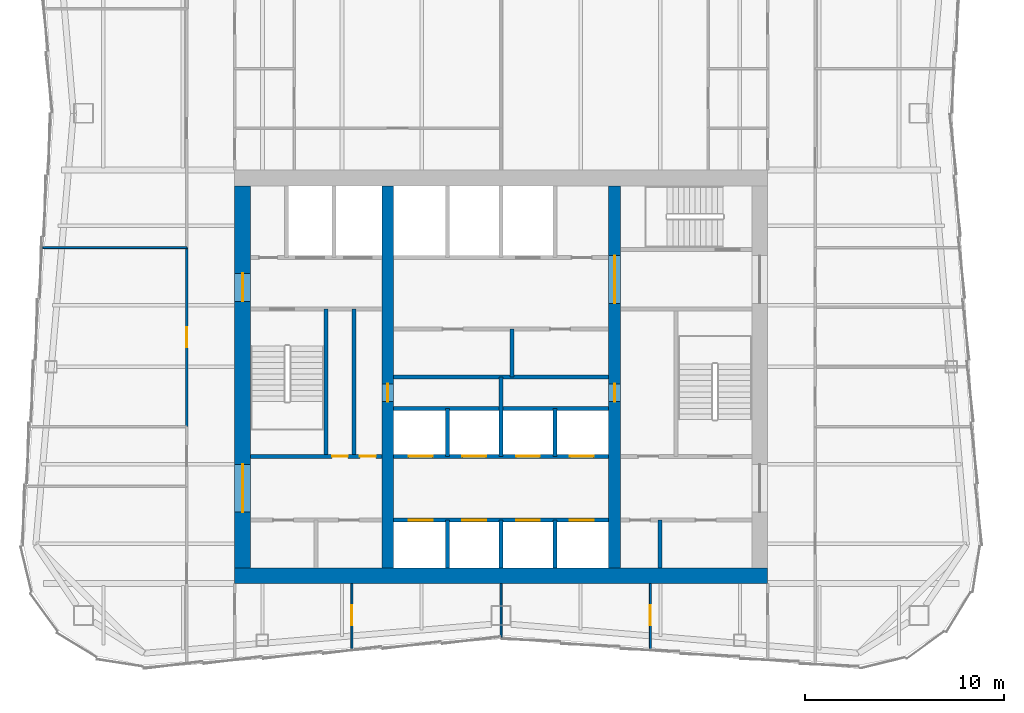
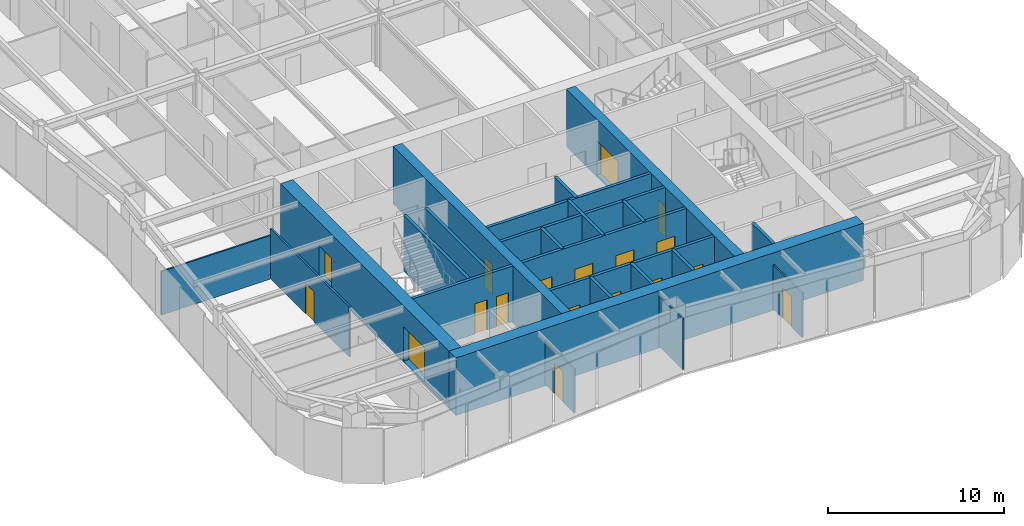
# One storey, part 6 of 12: 24 walls, 18 doors, 18 openings.
"""IFC4 building model written with IfcOpenShell, lengths in metres."""

from ifc_helpers import new_model, si_unit, direction, frame, frame_2d, origin, place, context, subcontext, project, spatial, rectangle, extrude, material, layer, layer_set, type_object, element, fill, save


model = new_model("IFC4")

# Units and contexts
model_context = context("Model", 3, precision=1e-05, world=origin(), true_north=direction((0.0, 1.0)))
body_context = subcontext(model_context, "Body", "Model", "MODEL_VIEW")
ifc_project = project(units=[si_unit("LENGTHUNIT", "METRE"), si_unit("AREAUNIT", "SQUARE_METRE"), si_unit("VOLUMEUNIT", "CUBIC_METRE"), si_unit("PLANEANGLEUNIT", "RADIAN"), si_unit("MASSUNIT", "GRAM", prefix="KILO")], contexts=[model_context])

# Site, building, storey
site_placement = place(None, origin())
site = spatial("IfcSite", under=ifc_project, at=site_placement, CompositionType="ELEMENT")
building_placement = place(site_placement, origin())
building = spatial("IfcBuilding", under=site, at=building_placement, Name="Verdant Reach Tower", CompositionType="ELEMENT")
storey_placement = place(building_placement, frame((0.0, 0.0, 242.0)))
storey = spatial("IfcBuildingStorey", under=building, at=storey_placement, Name="L55", CompositionType="ELEMENT", Elevation=242.0)

# Walls
ifc_material_1 = material(Name="Gypsum board on steel studs", Category="steel")
ifc_layer_1 = layer(ifc_material_1, 0.199951171875)
ifc_layer_set_1 = layer_set([ifc_layer_1], Name="CO-WALL-ROOM")
wall_type_1 = type_object("IfcWallType", Name="CO-WALL-ROOM", PredefinedType="PARTITIONING", material=ifc_layer_set_1)
wall_1_placement = place(storey_placement, frame((-5.39990234375, 28.0, 0.0), z_axis=(0.0, 0.0, 1.0), x_axis=(1.0, 0.0, 0.0)))
element("IfcWall", 1, at=wall_1_placement, inside=storey, type_object=wall_type_1, Name="Core partition, L55", PredefinedType="PARTITIONING", context=body_context, shape_type="SweptSolid", body=[
    extrude(rectangle(XDim=10.7998046875, YDim=0.199951171875, at=frame_2d((5.39990234375, 0.0))), origin(), (0.0, 0.0, 1.0), 3.8701171875),
])
wall_2_placement = place(storey_placement, frame((-7.39990234375, 24.0, 0.0), z_axis=(0.0, 0.0, 1.0), x_axis=(0.0, 1.0, 0.0)))
element("IfcWall", 2, at=wall_2_placement, inside=storey, type_object=wall_type_1, Name="Core partition, L55", PredefinedType="PARTITIONING", context=body_context, shape_type="SweptSolid", body=[
    extrude(rectangle(XDim=7.39990234375, YDim=0.199951171875, at=frame_2d((3.699951171875, 0.0))), origin(), (0.0, 0.0, 1.0), 3.8701171875),
])
wall_3_placement = place(storey_placement, frame((0.5400390625, 28.0, 0.0), z_axis=(0.0, 0.0, 1.0), x_axis=(0.0, 1.0, 0.0)))
element("IfcWall", 3, at=wall_3_placement, inside=storey, type_object=wall_type_1, Name="Core partition, L55", PredefinedType="PARTITIONING", context=body_context, shape_type="SweptSolid", body=[
    extrude(rectangle(XDim=2.39990234375, YDim=0.199951171875, at=frame_2d((1.199951171875, 0.0))), origin(), (0.0, 0.0, 1.0), 3.8701171875),
])
wall_4_placement = place(storey_placement, frame((7.97998046875, 18.39990234375, 0.0), z_axis=(0.0, 0.0, 1.0), x_axis=(0.0, 1.0, 0.0)))
element("IfcWall", 4, at=wall_4_placement, inside=storey, type_object=wall_type_1, Name="Core partition, L55", PredefinedType="PARTITIONING", context=body_context, shape_type="SweptSolid", body=[
    extrude(rectangle(XDim=2.400146484375, YDim=0.199951171875, at=frame_2d((1.2001953125, 0.0))), origin(), (0.0, 0.0, 1.0), 3.8701171875),
])

# Wall, openings, doors
ifc_material_2 = material(Name="Concrete C40/50", Category="concrete")
ifc_layer_2 = layer(ifc_material_2, 0.199951171875)
ifc_layer_set_2 = layer_set([ifc_layer_2], Name="CO-WALL-SHAFT")
wall_type_2 = type_object("IfcWallType", Name="CO-WALL-SHAFT", PredefinedType="PARTITIONING", material=ifc_layer_set_2)
wall_5_placement = place(storey_placement, frame((-5.39990234375, 20.800048828125, 0.0), z_axis=(0.0, 0.0, 1.0), x_axis=(1.0, 0.0, 0.0)))
wall_5 = element("IfcWall", 5, at=wall_5_placement, inside=storey, type_object=wall_type_2, Name="Lift shaft wall, L55", PredefinedType="PARTITIONING", context=body_context, shape_type="SweptSolid", body=[
    extrude(rectangle(XDim=10.7998046875, YDim=0.199951171875, at=frame_2d((5.39990234375, 0.0))), origin(), (0.0, 0.0, 1.0), 3.8701171875),
])
opening_1_placement = place(wall_5_placement, frame((0.75, 0.0, 0.0)))
opening_1 = element("IfcOpeningElement", 6, at=opening_1_placement, cuts=wall_5, Name="Opening LD-B1", PredefinedType="OPENING", context=body_context, shape_type="SweptSolid", body=[
    extrude(rectangle(XDim=1.199951171875, YDim=2.199951171875, at=frame_2d((0.60009765625, 1.10009765625))), frame((0.0, 0.10986328125, 0.0), z_axis=(0.0, -1.0, 0.0), x_axis=(1.0, 0.0, 0.0)), (0.0, 0.0, 1.0), 0.219970703125),
])
opening_2_placement = place(wall_5_placement, frame((3.449951171875, 0.0, 0.0)))
opening_2 = element("IfcOpeningElement", 7, at=opening_2_placement, cuts=wall_5, Name="Opening LD-B2", PredefinedType="OPENING", context=body_context, shape_type="SweptSolid", body=[
    extrude(rectangle(XDim=1.199951171875, YDim=2.199951171875, at=frame_2d((0.60009765625, 1.10009765625))), frame((0.0, 0.10986328125, 0.0), z_axis=(0.0, -1.0, 0.0), x_axis=(1.0, 0.0, 0.0)), (0.0, 0.0, 1.0), 0.219970703125),
])
opening_3_placement = place(wall_5_placement, frame((6.14990234375, 0.0, 0.0)))
opening_3 = element("IfcOpeningElement", 8, at=opening_3_placement, cuts=wall_5, Name="Opening LD-B3", PredefinedType="OPENING", context=body_context, shape_type="SweptSolid", body=[
    extrude(rectangle(XDim=1.199951171875, YDim=2.199951171875, at=frame_2d((0.60009765625, 1.10009765625))), frame((0.0, 0.10986328125, 0.0), z_axis=(0.0, -1.0, 0.0), x_axis=(1.0, 0.0, 0.0)), (0.0, 0.0, 1.0), 0.219970703125),
])
opening_4_placement = place(wall_5_placement, frame((8.85009765625, 0.0, 0.0)))
opening_4 = element("IfcOpeningElement", 9, at=opening_4_placement, cuts=wall_5, Name="Opening LD-B4", PredefinedType="OPENING", context=body_context, shape_type="SweptSolid", body=[
    extrude(rectangle(XDim=1.199951171875, YDim=2.199951171875, at=frame_2d((0.60009765625, 1.10009765625))), frame((0.0, 0.10986328125, 0.0), z_axis=(0.0, -1.0, 0.0), x_axis=(1.0, 0.0, 0.0)), (0.0, 0.0, 1.0), 0.219970703125),
])
ifc_material_3 = material(Name="Stainless steel", Category="steel")
door_type_1 = type_object("IfcDoorType", Name="CO-DOOR-LANDING", OperationType="SLIDING_TO_LEFT", PredefinedType="DOOR", material=ifc_material_3)
door_1_placement = place(opening_1_placement, origin())
door_1 = element("IfcDoor", 10, at=door_1_placement, inside=storey, type_object=door_type_1, Name="Landing door B1, L55", OperationType="SLIDING_TO_LEFT", OverallHeight=2.199951171875, OverallWidth=1.199951171875, PredefinedType="DOOR", context=body_context, shape_type="SweptSolid", body=[
    extrude(rectangle(XDim=1.199951171875, YDim=2.199951171875, at=frame_2d((0.60009765625, 1.10009765625))), frame((0.0, 0.02490234375, 0.0), z_axis=(0.0, -1.0, 0.0), x_axis=(1.0, 0.0, 0.0)), (0.0, 0.0, 1.0), 0.050048828125),
])
fill(opening_1, door_1)
door_2_placement = place(opening_2_placement, origin())
door_2 = element("IfcDoor", 11, at=door_2_placement, inside=storey, type_object=door_type_1, Name="Landing door B2, L55", OperationType="SLIDING_TO_LEFT", OverallHeight=2.199951171875, OverallWidth=1.199951171875, PredefinedType="DOOR", context=body_context, shape_type="SweptSolid", body=[
    extrude(rectangle(XDim=1.199951171875, YDim=2.199951171875, at=frame_2d((0.60009765625, 1.10009765625))), frame((0.0, 0.02490234375, 0.0), z_axis=(0.0, -1.0, 0.0), x_axis=(1.0, 0.0, 0.0)), (0.0, 0.0, 1.0), 0.050048828125),
])
fill(opening_2, door_2)
door_3_placement = place(opening_3_placement, origin())
door_3 = element("IfcDoor", 12, at=door_3_placement, inside=storey, type_object=door_type_1, Name="Landing door B3, L55", OperationType="SLIDING_TO_LEFT", OverallHeight=2.199951171875, OverallWidth=1.199951171875, PredefinedType="DOOR", context=body_context, shape_type="SweptSolid", body=[
    extrude(rectangle(XDim=1.199951171875, YDim=2.199951171875, at=frame_2d((0.60009765625, 1.10009765625))), frame((0.0, 0.02490234375, 0.0), z_axis=(0.0, -1.0, 0.0), x_axis=(1.0, 0.0, 0.0)), (0.0, 0.0, 1.0), 0.050048828125),
])
fill(opening_3, door_3)
door_4_placement = place(opening_4_placement, origin())
door_4 = element("IfcDoor", 13, at=door_4_placement, inside=storey, type_object=door_type_1, Name="Landing door B4, L55", OperationType="SLIDING_TO_LEFT", OverallHeight=2.199951171875, OverallWidth=1.199951171875, PredefinedType="DOOR", context=body_context, shape_type="SweptSolid", body=[
    extrude(rectangle(XDim=1.199951171875, YDim=2.199951171875, at=frame_2d((0.60009765625, 1.10009765625))), frame((0.0, 0.02490234375, 0.0), z_axis=(0.0, -1.0, 0.0), x_axis=(1.0, 0.0, 0.0)), (0.0, 0.0, 1.0), 0.050048828125),
])
fill(opening_4, door_4)

wall_6_placement = place(storey_placement, frame((-5.39990234375, 24.0, 0.0), z_axis=(0.0, 0.0, 1.0), x_axis=(1.0, 0.0, 0.0)))
wall_6 = element("IfcWall", 14, at=wall_6_placement, inside=storey, type_object=wall_type_2, Name="Lift shaft wall, L55", PredefinedType="PARTITIONING", context=body_context, shape_type="SweptSolid", body=[
    extrude(rectangle(XDim=10.7998046875, YDim=0.199951171875, at=frame_2d((5.39990234375, 0.0))), origin(), (0.0, 0.0, 1.0), 3.8701171875),
])
opening_5_placement = place(wall_6_placement, frame((0.75, 0.0, 0.0)))
opening_5 = element("IfcOpeningElement", 15, at=opening_5_placement, cuts=wall_6, Name="Opening LD-A5", PredefinedType="OPENING", context=body_context, shape_type="SweptSolid", body=[
    extrude(rectangle(XDim=1.199951171875, YDim=2.199951171875, at=frame_2d((0.60009765625, 1.10009765625))), frame((0.0, 0.10986328125, 0.0), z_axis=(0.0, -1.0, 0.0), x_axis=(1.0, 0.0, 0.0)), (0.0, 0.0, 1.0), 0.219970703125),
])
opening_6_placement = place(wall_6_placement, frame((3.449951171875, 0.0, 0.0)))
opening_6 = element("IfcOpeningElement", 16, at=opening_6_placement, cuts=wall_6, Name="Opening LD-A6", PredefinedType="OPENING", context=body_context, shape_type="SweptSolid", body=[
    extrude(rectangle(XDim=1.199951171875, YDim=2.199951171875, at=frame_2d((0.60009765625, 1.10009765625))), frame((0.0, 0.10986328125, 0.0), z_axis=(0.0, -1.0, 0.0), x_axis=(1.0, 0.0, 0.0)), (0.0, 0.0, 1.0), 0.219970703125),
])
opening_7_placement = place(wall_6_placement, frame((6.14990234375, 0.0, 0.0)))
opening_7 = element("IfcOpeningElement", 17, at=opening_7_placement, cuts=wall_6, Name="Opening LD-A7", PredefinedType="OPENING", context=body_context, shape_type="SweptSolid", body=[
    extrude(rectangle(XDim=1.199951171875, YDim=2.199951171875, at=frame_2d((0.60009765625, 1.10009765625))), frame((0.0, 0.10986328125, 0.0), z_axis=(0.0, -1.0, 0.0), x_axis=(1.0, 0.0, 0.0)), (0.0, 0.0, 1.0), 0.219970703125),
])
opening_8_placement = place(wall_6_placement, frame((8.85009765625, 0.0, 0.0)))
opening_8 = element("IfcOpeningElement", 18, at=opening_8_placement, cuts=wall_6, Name="Opening LD-A8", PredefinedType="OPENING", context=body_context, shape_type="SweptSolid", body=[
    extrude(rectangle(XDim=1.199951171875, YDim=2.199951171875, at=frame_2d((0.60009765625, 1.10009765625))), frame((0.0, 0.10986328125, 0.0), z_axis=(0.0, -1.0, 0.0), x_axis=(1.0, 0.0, 0.0)), (0.0, 0.0, 1.0), 0.219970703125),
])
door_5_placement = place(opening_5_placement, origin())
door_5 = element("IfcDoor", 19, at=door_5_placement, inside=storey, type_object=door_type_1, Name="Landing door A5, L55", OperationType="SLIDING_TO_LEFT", OverallHeight=2.199951171875, OverallWidth=1.199951171875, PredefinedType="DOOR", context=body_context, shape_type="SweptSolid", body=[
    extrude(rectangle(XDim=1.199951171875, YDim=2.199951171875, at=frame_2d((0.60009765625, 1.10009765625))), frame((0.0, 0.02490234375, 0.0), z_axis=(0.0, -1.0, 0.0), x_axis=(1.0, 0.0, 0.0)), (0.0, 0.0, 1.0), 0.050048828125),
])
fill(opening_5, door_5)
door_6_placement = place(opening_6_placement, origin())
door_6 = element("IfcDoor", 20, at=door_6_placement, inside=storey, type_object=door_type_1, Name="Landing door A6, L55", OperationType="SLIDING_TO_LEFT", OverallHeight=2.199951171875, OverallWidth=1.199951171875, PredefinedType="DOOR", context=body_context, shape_type="SweptSolid", body=[
    extrude(rectangle(XDim=1.199951171875, YDim=2.199951171875, at=frame_2d((0.60009765625, 1.10009765625))), frame((0.0, 0.02490234375, 0.0), z_axis=(0.0, -1.0, 0.0), x_axis=(1.0, 0.0, 0.0)), (0.0, 0.0, 1.0), 0.050048828125),
])
fill(opening_6, door_6)
door_7_placement = place(opening_7_placement, origin())
door_7 = element("IfcDoor", 21, at=door_7_placement, inside=storey, type_object=door_type_1, Name="Landing door A7, L55", OperationType="SLIDING_TO_LEFT", OverallHeight=2.199951171875, OverallWidth=1.199951171875, PredefinedType="DOOR", context=body_context, shape_type="SweptSolid", body=[
    extrude(rectangle(XDim=1.199951171875, YDim=2.199951171875, at=frame_2d((0.60009765625, 1.10009765625))), frame((0.0, 0.02490234375, 0.0), z_axis=(0.0, -1.0, 0.0), x_axis=(1.0, 0.0, 0.0)), (0.0, 0.0, 1.0), 0.050048828125),
])
fill(opening_7, door_7)
door_8_placement = place(opening_8_placement, origin())
door_8 = element("IfcDoor", 22, at=door_8_placement, inside=storey, type_object=door_type_1, Name="Landing door A8, L55", OperationType="SLIDING_TO_LEFT", OverallHeight=2.199951171875, OverallWidth=1.199951171875, PredefinedType="DOOR", context=body_context, shape_type="SweptSolid", body=[
    extrude(rectangle(XDim=1.199951171875, YDim=2.199951171875, at=frame_2d((0.60009765625, 1.10009765625))), frame((0.0, 0.02490234375, 0.0), z_axis=(0.0, -1.0, 0.0), x_axis=(1.0, 0.0, 0.0)), (0.0, 0.0, 1.0), 0.050048828125),
])
fill(opening_8, door_8)

# Walls
wall_7_placement = place(storey_placement, frame((-5.39990234375, 26.39990234375, 0.0), z_axis=(0.0, 0.0, 1.0), x_axis=(1.0, 0.0, 0.0)))
element("IfcWall", 23, at=wall_7_placement, inside=storey, type_object=wall_type_2, Name="Lift shaft wall, L55", PredefinedType="PARTITIONING", context=body_context, shape_type="SweptSolid", body=[
    extrude(rectangle(XDim=10.7998046875, YDim=0.199951171875, at=frame_2d((5.39990234375, 0.0))), origin(), (0.0, 0.0, 1.0), 3.8701171875),
])
wall_8_placement = place(storey_placement, frame((-2.699951171875, 18.39990234375, 0.0), z_axis=(0.0, 0.0, 1.0), x_axis=(0.0, 1.0, 0.0)))
element("IfcWall", 24, at=wall_8_placement, inside=storey, type_object=wall_type_2, Name="Lift shaft wall, L55", PredefinedType="PARTITIONING", context=body_context, shape_type="SweptSolid", body=[
    extrude(rectangle(XDim=2.400146484375, YDim=0.199951171875, at=frame_2d((1.2001953125, 0.0))), origin(), (0.0, 0.0, 1.0), 3.8701171875),
])
wall_9_placement = place(storey_placement, frame((-2.699951171875, 24.0, 0.0), z_axis=(0.0, 0.0, 1.0), x_axis=(0.0, 1.0, 0.0)))
element("IfcWall", 25, at=wall_9_placement, inside=storey, type_object=wall_type_2, Name="Lift shaft wall, L55", PredefinedType="PARTITIONING", context=body_context, shape_type="SweptSolid", body=[
    extrude(rectangle(XDim=2.39990234375, YDim=0.199951171875, at=frame_2d((1.199951171875, 0.0))), origin(), (0.0, 0.0, 1.0), 3.8701171875),
])
wall_10_placement = place(storey_placement, frame((0.0, 18.39990234375, 0.0), z_axis=(0.0, 0.0, 1.0), x_axis=(0.0, 1.0, 0.0)))
element("IfcWall", 26, at=wall_10_placement, inside=storey, type_object=wall_type_2, Name="Lift shaft wall, L55", PredefinedType="PARTITIONING", context=body_context, shape_type="SweptSolid", body=[
    extrude(rectangle(XDim=2.400146484375, YDim=0.199951171875, at=frame_2d((1.2001953125, 0.0))), origin(), (0.0, 0.0, 1.0), 3.8701171875),
])
wall_11_placement = place(storey_placement, frame((0.0, 24.0, 0.0), z_axis=(0.0, 0.0, 1.0), x_axis=(0.0, 1.0, 0.0)))
element("IfcWall", 27, at=wall_11_placement, inside=storey, type_object=wall_type_2, Name="Lift shaft wall, L55", PredefinedType="PARTITIONING", context=body_context, shape_type="SweptSolid", body=[
    extrude(rectangle(XDim=4.0, YDim=0.199951171875, at=frame_2d((2.0, 0.0))), origin(), (0.0, 0.0, 1.0), 3.8701171875),
])
wall_12_placement = place(storey_placement, frame((2.699951171875, 18.39990234375, 0.0), z_axis=(0.0, 0.0, 1.0), x_axis=(0.0, 1.0, 0.0)))
element("IfcWall", 28, at=wall_12_placement, inside=storey, type_object=wall_type_2, Name="Lift shaft wall, L55", PredefinedType="PARTITIONING", context=body_context, shape_type="SweptSolid", body=[
    extrude(rectangle(XDim=2.400146484375, YDim=0.199951171875, at=frame_2d((1.2001953125, 0.0))), origin(), (0.0, 0.0, 1.0), 3.8701171875),
])
wall_13_placement = place(storey_placement, frame((2.699951171875, 24.0, 0.0), z_axis=(0.0, 0.0, 1.0), x_axis=(0.0, 1.0, 0.0)))
element("IfcWall", 29, at=wall_13_placement, inside=storey, type_object=wall_type_2, Name="Lift shaft wall, L55", PredefinedType="PARTITIONING", context=body_context, shape_type="SweptSolid", body=[
    extrude(rectangle(XDim=2.39990234375, YDim=0.199951171875, at=frame_2d((1.199951171875, 0.0))), origin(), (0.0, 0.0, 1.0), 3.8701171875),
])

# Wall, openings, doors
ifc_layer_3 = layer(ifc_material_2, 0.199951171875)
ifc_layer_set_3 = layer_set([ifc_layer_3], Name="CO-WALL-STAIR")
wall_type_3 = type_object("IfcWallType", Name="CO-WALL-STAIR", PredefinedType="PARTITIONING", material=ifc_layer_set_3)
wall_14_placement = place(storey_placement, frame((-12.60009765625, 24.0, 0.0), z_axis=(0.0, 0.0, 1.0), x_axis=(1.0, 0.0, 0.0)))
wall_14 = element("IfcWall", 30, at=wall_14_placement, inside=storey, type_object=wall_type_3, Name="Stair enclosure wall, L55", PredefinedType="PARTITIONING", context=body_context, shape_type="SweptSolid", body=[
    extrude(rectangle(XDim=6.60009765625, YDim=0.199951171875, at=frame_2d((3.300048828125, 0.0))), origin(), (0.0, 0.0, 1.0), 3.8701171875),
])
opening_9_placement = place(wall_14_placement, frame((4.10009765625, 0.0, 0.0)))
opening_9 = element("IfcOpeningElement", 31, at=opening_9_placement, cuts=wall_14, Name="Opening CDN", PredefinedType="OPENING", context=body_context, shape_type="SweptSolid", body=[
    extrude(rectangle(XDim=0.800048828125, YDim=2.10009765625, at=frame_2d((0.39990234375, 1.050048828125))), frame((0.0, 0.10986328125, 0.0), z_axis=(0.0, -1.0, 0.0), x_axis=(1.0, 0.0, 0.0)), (0.0, 0.0, 1.0), 0.219970703125),
])
opening_10_placement = place(wall_14_placement, frame((5.5, 0.0, 0.0)))
opening_10 = element("IfcOpeningElement", 32, at=opening_10_placement, cuts=wall_14, Name="Opening CDN", PredefinedType="OPENING", context=body_context, shape_type="SweptSolid", body=[
    extrude(rectangle(XDim=0.800048828125, YDim=2.10009765625, at=frame_2d((0.39990234375, 1.050048828125))), frame((0.0, 0.10986328125, 0.0), z_axis=(0.0, -1.0, 0.0), x_axis=(1.0, 0.0, 0.0)), (0.0, 0.0, 1.0), 0.219970703125),
])
ifc_material_4 = material(Name="Timber", Category="wood")
door_type_2 = type_object("IfcDoorType", Name="CO-DOOR-ROOM-NARROW", OperationType="NOTDEFINED", PredefinedType="DOOR", material=ifc_material_4)
door_9_placement = place(opening_9_placement, origin())
door_9 = element("IfcDoor", 33, at=door_9_placement, inside=storey, type_object=door_type_2, Name="Core room door, L55", OperationType="SINGLE_SWING_LEFT", OverallHeight=2.10009765625, OverallWidth=0.800048828125, PredefinedType="DOOR", context=body_context, shape_type="SweptSolid", body=[
    extrude(rectangle(XDim=0.800048828125, YDim=2.10009765625, at=frame_2d((0.39990234375, 1.050048828125))), frame((0.0, 0.02490234375, 0.0), z_axis=(0.0, -1.0, 0.0), x_axis=(1.0, 0.0, 0.0)), (0.0, 0.0, 1.0), 0.050048828125),
])
fill(opening_9, door_9)
door_10_placement = place(opening_10_placement, origin())
door_10 = element("IfcDoor", 34, at=door_10_placement, inside=storey, type_object=door_type_2, Name="Core room door, L55", OperationType="SINGLE_SWING_RIGHT", OverallHeight=2.10009765625, OverallWidth=0.800048828125, PredefinedType="DOOR", context=body_context, shape_type="SweptSolid", body=[
    extrude(rectangle(XDim=0.800048828125, YDim=2.10009765625, at=frame_2d((0.39990234375, 1.050048828125))), frame((0.0, 0.02490234375, 0.0), z_axis=(0.0, -1.0, 0.0), x_axis=(1.0, 0.0, 0.0)), (0.0, 0.0, 1.0), 0.050048828125),
])
fill(opening_10, door_10)

# Walls
wall_15_placement = place(storey_placement, frame((-8.800048828125, 24.0, 0.0), z_axis=(0.0, 0.0, 1.0), x_axis=(0.0, 1.0, 0.0)))
element("IfcWall", 35, at=wall_15_placement, inside=storey, type_object=wall_type_3, Name="Stair enclosure wall, L55", PredefinedType="PARTITIONING", context=body_context, shape_type="SweptSolid", body=[
    extrude(rectangle(XDim=7.39990234375, YDim=0.199951171875, at=frame_2d((3.699951171875, 0.0))), origin(), (0.0, 0.0, 1.0), 3.8701171875),
])
ifc_layer_4 = layer(ifc_material_1, 0.10009765625)
ifc_layer_set_4 = layer_set([ifc_layer_4], Name="FL-W1 Partition 100")
wall_type_4 = type_object("IfcWallType", Name="FL-W1 Partition 100", PredefinedType="PARTITIONING", material=ifc_layer_set_4)
wall_16_placement = place(storey_placement, frame((-15.800048828125, 34.5, 0.0), z_axis=(0.0, 0.0, 1.0), x_axis=(-1.0, 0.0, 0.0)))
element("IfcWall", 36, at=wall_16_placement, inside=storey, type_object=wall_type_4, Name="Partition 55.40", PredefinedType="PARTITIONING", context=body_context, shape_type="SweptSolid", body=[
    extrude(rectangle(XDim=7.245361328125, YDim=0.10009765625, at=frame_2d((3.62255859375, 0.0))), origin(), (0.0, 0.0, 1.0), 3.0400390625),
])

# Wall, opening, door
wall_17_placement = place(storey_placement, frame((-7.5, 17.60009765625, 0.0), z_axis=(0.0, 0.0, 1.0), x_axis=(0.0, -1.0, 0.0)))
wall_17 = element("IfcWall", 37, at=wall_17_placement, inside=storey, type_object=wall_type_4, Name="Partition 55.50", PredefinedType="PARTITIONING", context=body_context, shape_type="SweptSolid", body=[
    extrude(rectangle(XDim=3.30517578125, YDim=0.10009765625, at=frame_2d((1.652587890625, 0.0))), origin(), (0.0, 0.0, 1.0), 3.0400390625),
])
opening_11_placement = place(wall_17_placement, frame((1.08740234375, 0.0, 0.0)))
opening_11 = element("IfcOpeningElement", 38, at=opening_11_placement, cuts=wall_17, Name="Opening D3", PredefinedType="OPENING", context=body_context, shape_type="SweptSolid", body=[
    extrude(rectangle(XDim=1.0, YDim=2.10009765625, at=frame_2d((0.5, 1.050048828125))), frame((0.0, 0.06005859375, 0.0), z_axis=(0.0, -1.0, 0.0), x_axis=(1.0, 0.0, 0.0)), (0.0, 0.0, 1.0), 0.1201171875),
])
ifc_material_5 = material(Name="Painted timber door leaf", Category="wood")
door_type_3 = type_object("IfcDoorType", Name="FL-D3 Door 1000x2100", OperationType="NOTDEFINED", PredefinedType="DOOR", material=ifc_material_5)
door_11_placement = place(opening_11_placement, origin())
door_11 = element("IfcDoor", 39, at=door_11_placement, inside=storey, type_object=door_type_3, Name="Door 55-029", OperationType="SINGLE_SWING_LEFT", OverallHeight=2.10009765625, OverallWidth=1.0, PredefinedType="DOOR", context=body_context, shape_type="SweptSolid", body=[
    extrude(rectangle(XDim=1.0, YDim=2.10009765625, at=frame_2d((0.5, 1.050048828125))), frame((0.0, 0.02490234375, 0.0), z_axis=(0.0, -1.0, 0.0), x_axis=(1.0, 0.0, 0.0)), (0.0, 0.0, 1.0), 0.050048828125),
])
fill(opening_11, door_11)

# Wall
wall_18_placement = place(storey_placement, frame((0.0, 14.919921875, 0.0), z_axis=(0.0, 0.0, 1.0), x_axis=(0.0, 1.0, 0.0)))
element("IfcWall", 40, at=wall_18_placement, inside=storey, type_object=wall_type_4, Name="Partition 55.51", PredefinedType="PARTITIONING", context=body_context, shape_type="SweptSolid", body=[
    extrude(rectangle(XDim=2.68017578125, YDim=0.10009765625, at=frame_2d((1.340087890625, 0.0))), origin(), (0.0, 0.0, 1.0), 3.5400390625),
])

# Wall, opening, door
wall_19_placement = place(storey_placement, frame((7.5, 14.294921875, 0.0), z_axis=(0.0, 0.0, 1.0), x_axis=(0.0, 1.0, 0.0)))
wall_19 = element("IfcWall", 41, at=wall_19_placement, inside=storey, type_object=wall_type_4, Name="Partition 55.52", PredefinedType="PARTITIONING", context=body_context, shape_type="SweptSolid", body=[
    extrude(rectangle(XDim=3.30517578125, YDim=0.10009765625, at=frame_2d((1.652587890625, 0.0))), origin(), (0.0, 0.0, 1.0), 3.0400390625),
])
opening_12_placement = place(wall_19_placement, frame((1.217529296875, 0.0, 0.0)))
opening_12 = element("IfcOpeningElement", 42, at=opening_12_placement, cuts=wall_19, Name="Opening D3", PredefinedType="OPENING", context=body_context, shape_type="SweptSolid", body=[
    extrude(rectangle(XDim=1.0, YDim=2.10009765625, at=frame_2d((0.5, 1.050048828125))), frame((0.0, 0.06005859375, 0.0), z_axis=(0.0, -1.0, 0.0), x_axis=(1.0, 0.0, 0.0)), (0.0, 0.0, 1.0), 0.1201171875),
])
door_12_placement = place(opening_12_placement, origin())
door_12 = element("IfcDoor", 43, at=door_12_placement, inside=storey, type_object=door_type_3, Name="Door 55-030", OperationType="SINGLE_SWING_RIGHT", OverallHeight=2.10009765625, OverallWidth=1.0, PredefinedType="DOOR", context=body_context, shape_type="SweptSolid", body=[
    extrude(rectangle(XDim=1.0, YDim=2.10009765625, at=frame_2d((0.5, 1.050048828125))), frame((0.0, 0.02490234375, 0.0), z_axis=(0.0, -1.0, 0.0), x_axis=(1.0, 0.0, 0.0)), (0.0, 0.0, 1.0), 0.050048828125),
])
fill(opening_12, door_12)

ifc_material_6 = material(Name="Gypsum board on steel studs, fire rated", Category="steel")
ifc_layer_5 = layer(ifc_material_6, 0.125)
ifc_layer_set_5 = layer_set([ifc_layer_5], Name="FL-W2 Corridor wall 125")
wall_type_5 = type_object("IfcWallType", Name="FL-W2 Corridor wall 125", PredefinedType="PARTITIONING", material=ifc_layer_set_5)
wall_20_placement = place(storey_placement, frame((-15.800048828125, 25.5, 0.0), z_axis=(0.0, 0.0, 1.0), x_axis=(0.0, 1.0, 0.0)))
wall_20 = element("IfcWall", 44, at=wall_20_placement, inside=storey, type_object=wall_type_5, Name="Partition 55.03", PredefinedType="PARTITIONING", context=body_context, shape_type="SweptSolid", body=[
    extrude(rectangle(XDim=9.0, YDim=0.125, at=frame_2d((4.5, 0.0))), origin(), (0.0, 0.0, 1.0), 3.47998046875),
])
opening_13_placement = place(wall_20_placement, frame((4.0, 0.0, 0.0)))
opening_13 = element("IfcOpeningElement", 45, at=opening_13_placement, cuts=wall_20, Name="Opening D2", PredefinedType="OPENING", context=body_context, shape_type="SweptSolid", body=[
    extrude(rectangle(XDim=1.0, YDim=2.10009765625, at=frame_2d((0.5, 1.050048828125))), frame((0.0, 0.072509765625, 0.0), z_axis=(0.0, -1.0, 0.0), x_axis=(1.0, 0.0, 0.0)), (0.0, 0.0, 1.0), 0.14501953125),
])
ifc_material_7 = material(Name="Timber door leaf, fire rated", Category="wood")
door_type_4 = type_object("IfcDoorType", Name="FL-D2 Entrance door 1000x2100 FD30", OperationType="NOTDEFINED", PredefinedType="DOOR", material=ifc_material_7)
door_13_placement = place(opening_13_placement, origin())
door_13 = element("IfcDoor", 46, at=door_13_placement, inside=storey, type_object=door_type_4, Name="Door 55-003", OperationType="SINGLE_SWING_LEFT", OverallHeight=2.10009765625, OverallWidth=1.0, PredefinedType="DOOR", context=body_context, shape_type="SweptSolid", body=[
    extrude(rectangle(XDim=1.0, YDim=2.10009765625, at=frame_2d((0.5, 1.050048828125))), frame((0.0, 0.02490234375, 0.0), z_axis=(0.0, -1.0, 0.0), x_axis=(1.0, 0.0, 0.0)), (0.0, 0.0, 1.0), 0.050048828125),
])
fill(opening_13, door_13)

ifc_material_8 = material(Name="Concrete C70/85", Category="concrete")
ifc_layer_6 = layer(ifc_material_8, 0.60009765625)
ifc_layer_set_6 = layer_set([ifc_layer_6], Name="ST-CORE-WALL-600")
wall_type_6 = type_object("IfcWallType", Name="ST-CORE-WALL-600", PredefinedType="SHEAR", material=ifc_layer_set_6)
wall_21_placement = place(storey_placement, frame((-5.699951171875, 18.39990234375, -0.1298828125), z_axis=(0.0, 0.0, 1.0), x_axis=(0.0, 1.0, 0.0)))
wall_21 = element("IfcWall", 47, at=wall_21_placement, inside=storey, type_object=wall_type_6, Name="Core wall XW, L55", PredefinedType="SHEAR", context=body_context, shape_type="SweptSolid", body=[
    extrude(rectangle(XDim=19.2001953125, YDim=0.60009765625, at=frame_2d((9.60009765625, 0.0))), origin(), (0.0, 0.0, 1.0), 4.0),
])
opening_14_placement = place(wall_21_placement, frame((8.35009765625, 0.0, 0.1298828125)))
opening_14 = element("IfcOpeningElement", 48, at=opening_14_placement, cuts=wall_21, Name="Opening RD", PredefinedType="OPENING", context=body_context, shape_type="SweptSolid", body=[
    extrude(rectangle(XDim=0.89990234375, YDim=2.10009765625, at=frame_2d((0.449951171875, 1.050048828125))), frame((0.0, 0.31005859375, 0.0), z_axis=(0.0, -1.0, 0.0), x_axis=(1.0, 0.0, 0.0)), (0.0, 0.0, 1.0), 0.6201171875),
])
ifc_material_9 = material(Name="Steel", Category="steel")
door_type_5 = type_object("IfcDoorType", Name="CO-DOOR-RISER", OperationType="NOTDEFINED", PredefinedType="DOOR", material=ifc_material_9)
door_14_placement = place(opening_14_placement, origin())
door_14 = element("IfcDoor", 49, at=door_14_placement, inside=storey, type_object=door_type_5, Name="Riser door, L55", OperationType="SINGLE_SWING_LEFT", OverallHeight=2.10009765625, OverallWidth=0.89990234375, PredefinedType="DOOR", context=body_context, shape_type="SweptSolid", body=[
    extrude(rectangle(XDim=0.89990234375, YDim=2.10009765625, at=frame_2d((0.449951171875, 1.050048828125))), frame((0.0, 0.02490234375, 0.0), z_axis=(0.0, -1.0, 0.0), x_axis=(1.0, 0.0, 0.0)), (0.0, 0.0, 1.0), 0.050048828125),
])
fill(opening_14, door_14)

# Wall, openings, doors
wall_22_placement = place(storey_placement, frame((5.699951171875, 18.39990234375, -0.1298828125), z_axis=(0.0, 0.0, 1.0), x_axis=(0.0, 1.0, 0.0)))
wall_22 = element("IfcWall", 50, at=wall_22_placement, inside=storey, type_object=wall_type_6, Name="Core wall XE, L55", PredefinedType="SHEAR", context=body_context, shape_type="SweptSolid", body=[
    extrude(rectangle(XDim=19.2001953125, YDim=0.60009765625, at=frame_2d((9.60009765625, 0.0))), origin(), (0.0, 0.0, 1.0), 4.0),
])
opening_15_placement = place(wall_22_placement, frame((8.35009765625, 0.0, 0.1298828125)))
opening_15 = element("IfcOpeningElement", 51, at=opening_15_placement, cuts=wall_22, Name="Opening RD", PredefinedType="OPENING", context=body_context, shape_type="SweptSolid", body=[
    extrude(rectangle(XDim=0.89990234375, YDim=2.10009765625, at=frame_2d((0.449951171875, 1.050048828125))), frame((0.0, 0.31005859375, 0.0), z_axis=(0.0, -1.0, 0.0), x_axis=(1.0, 0.0, 0.0)), (0.0, 0.0, 1.0), 0.6201171875),
])
opening_16_placement = place(wall_22_placement, frame((13.300048828125, 0.0, 0.1298828125)))
opening_16 = element("IfcOpeningElement", 52, at=opening_16_placement, cuts=wall_22, Name="Opening LB", PredefinedType="OPENING", context=body_context, shape_type="SweptSolid", body=[
    extrude(rectangle(XDim=2.39990234375, YDim=2.39990234375, at=frame_2d((1.199951171875, 1.199951171875))), frame((0.0, 0.31005859375, 0.0), z_axis=(0.0, -1.0, 0.0), x_axis=(1.0, 0.0, 0.0)), (0.0, 0.0, 1.0), 0.6201171875),
])
ifc_material_10 = material(Name="Glass and steel", Category="steel")
door_type_6 = type_object("IfcDoorType", Name="CO-DOOR-LOBBY", OperationType="DOUBLE_DOOR_SINGLE_SWING", PredefinedType="DOOR", material=ifc_material_10)
door_15_placement = place(opening_16_placement, origin())
door_15 = element("IfcDoor", 53, at=door_15_placement, inside=storey, type_object=door_type_6, Name="Core entrance door, L55", OperationType="DOUBLE_DOOR_SINGLE_SWING", OverallHeight=2.39990234375, OverallWidth=2.39990234375, PredefinedType="DOOR", context=body_context, shape_type="SweptSolid", body=[
    extrude(rectangle(XDim=2.39990234375, YDim=2.39990234375, at=frame_2d((1.199951171875, 1.199951171875))), frame((0.0, 0.02490234375, 0.0), z_axis=(0.0, -1.0, 0.0), x_axis=(1.0, 0.0, 0.0)), (0.0, 0.0, 1.0), 0.050048828125),
])
fill(opening_16, door_15)
door_16_placement = place(opening_15_placement, origin())
door_16 = element("IfcDoor", 54, at=door_16_placement, inside=storey, type_object=door_type_5, Name="Riser door, L55", OperationType="SINGLE_SWING_RIGHT", OverallHeight=2.10009765625, OverallWidth=0.89990234375, PredefinedType="DOOR", context=body_context, shape_type="SweptSolid", body=[
    extrude(rectangle(XDim=0.89990234375, YDim=2.10009765625, at=frame_2d((0.449951171875, 1.050048828125))), frame((0.0, 0.02490234375, 0.0), z_axis=(0.0, -1.0, 0.0), x_axis=(1.0, 0.0, 0.0)), (0.0, 0.0, 1.0), 0.050048828125),
])
fill(opening_15, door_16)

# Wall
ifc_layer_7 = layer(ifc_material_8, 0.800048828125)
ifc_layer_set_7 = layer_set([ifc_layer_7], Name="ST-CORE-WALL-800")
wall_type_7 = type_object("IfcWallType", Name="ST-CORE-WALL-800", PredefinedType="SHEAR", material=ifc_layer_set_7)
wall_23_placement = place(storey_placement, frame((-13.39990234375, 18.0, -0.1298828125), z_axis=(0.0, 0.0, 1.0), x_axis=(1.0, 0.0, 0.0)))
element("IfcWall", 55, at=wall_23_placement, inside=storey, type_object=wall_type_7, Name="Core wall S, L55", PredefinedType="SHEAR", context=body_context, shape_type="SweptSolid", body=[
    extrude(rectangle(XDim=26.7998046875, YDim=0.800048828125, at=frame_2d((13.39990234375, 0.0))), origin(), (0.0, 0.0, 1.0), 4.0),
])

# Wall, openings, doors
wall_24_placement = place(storey_placement, frame((-13.0, 18.39990234375, -0.1298828125), z_axis=(0.0, 0.0, 1.0), x_axis=(0.0, 1.0, 0.0)))
wall_24 = element("IfcWall", 56, at=wall_24_placement, inside=storey, type_object=wall_type_7, Name="Core wall W, L55", PredefinedType="SHEAR", context=body_context, shape_type="SweptSolid", body=[
    extrude(rectangle(XDim=19.2001953125, YDim=0.800048828125, at=frame_2d((9.60009765625, 0.0))), origin(), (0.0, 0.0, 1.0), 4.0),
])
opening_17_placement = place(wall_24_placement, frame((2.800048828125, 0.0, 0.1298828125)))
opening_17 = element("IfcOpeningElement", 57, at=opening_17_placement, cuts=wall_24, Name="Opening LB", PredefinedType="OPENING", context=body_context, shape_type="SweptSolid", body=[
    extrude(rectangle(XDim=2.39990234375, YDim=2.39990234375, at=frame_2d((1.199951171875, 1.199951171875))), frame((0.0, 0.409912109375, 0.0), z_axis=(0.0, -1.0, 0.0), x_axis=(1.0, 0.0, 0.0)), (0.0, 0.0, 1.0), 0.820068359375),
])
opening_18_placement = place(wall_24_placement, frame((13.39990234375, 0.0, 0.1298828125)))
opening_18 = element("IfcOpeningElement", 58, at=opening_18_placement, cuts=wall_24, Name="Opening FL", PredefinedType="OPENING", context=body_context, shape_type="SweptSolid", body=[
    extrude(rectangle(XDim=1.39990234375, YDim=2.199951171875, at=frame_2d((0.699951171875, 1.10009765625))), frame((0.0, 0.409912109375, 0.0), z_axis=(0.0, -1.0, 0.0), x_axis=(1.0, 0.0, 0.0)), (0.0, 0.0, 1.0), 0.820068359375),
])
door_type_7 = type_object("IfcDoorType", Name="CO-DOOR-FFL", OperationType="NOTDEFINED", PredefinedType="DOOR", material=ifc_material_9)
door_17_placement = place(opening_18_placement, origin())
door_17 = element("IfcDoor", 59, at=door_17_placement, inside=storey, type_object=door_type_7, Name="Core entrance door, L55", OperationType="SINGLE_SWING_RIGHT", OverallHeight=2.199951171875, OverallWidth=1.39990234375, PredefinedType="DOOR", context=body_context, shape_type="SweptSolid", body=[
    extrude(rectangle(XDim=1.39990234375, YDim=2.199951171875, at=frame_2d((0.699951171875, 1.10009765625))), frame((0.0, 0.02490234375, 0.0), z_axis=(0.0, -1.0, 0.0), x_axis=(1.0, 0.0, 0.0)), (0.0, 0.0, 1.0), 0.050048828125),
])
fill(opening_18, door_17)
door_18_placement = place(opening_17_placement, origin())
door_18 = element("IfcDoor", 60, at=door_18_placement, inside=storey, type_object=door_type_6, Name="Core entrance door, L55", OperationType="DOUBLE_DOOR_SINGLE_SWING", OverallHeight=2.39990234375, OverallWidth=2.39990234375, PredefinedType="DOOR", context=body_context, shape_type="SweptSolid", body=[
    extrude(rectangle(XDim=2.39990234375, YDim=2.39990234375, at=frame_2d((1.199951171875, 1.199951171875))), frame((0.0, 0.02490234375, 0.0), z_axis=(0.0, -1.0, 0.0), x_axis=(1.0, 0.0, 0.0)), (0.0, 0.0, 1.0), 0.050048828125),
])
fill(opening_17, door_18)

save(model, "model.ifc")
